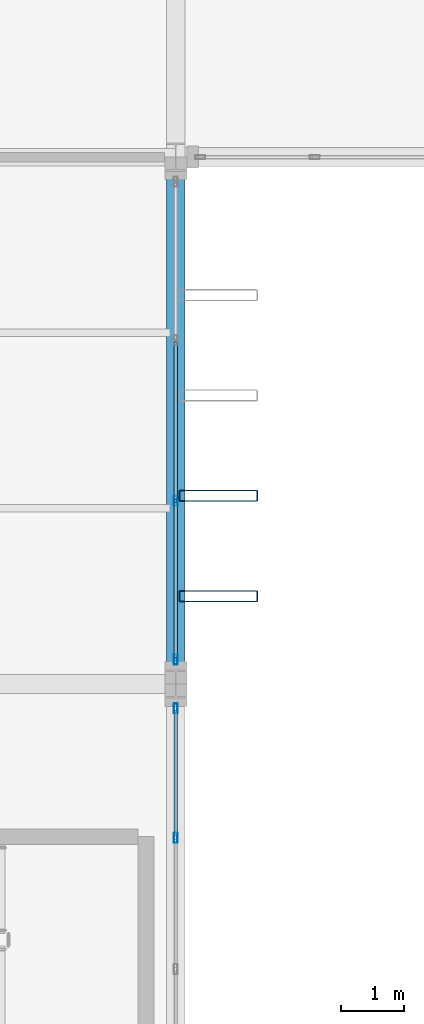
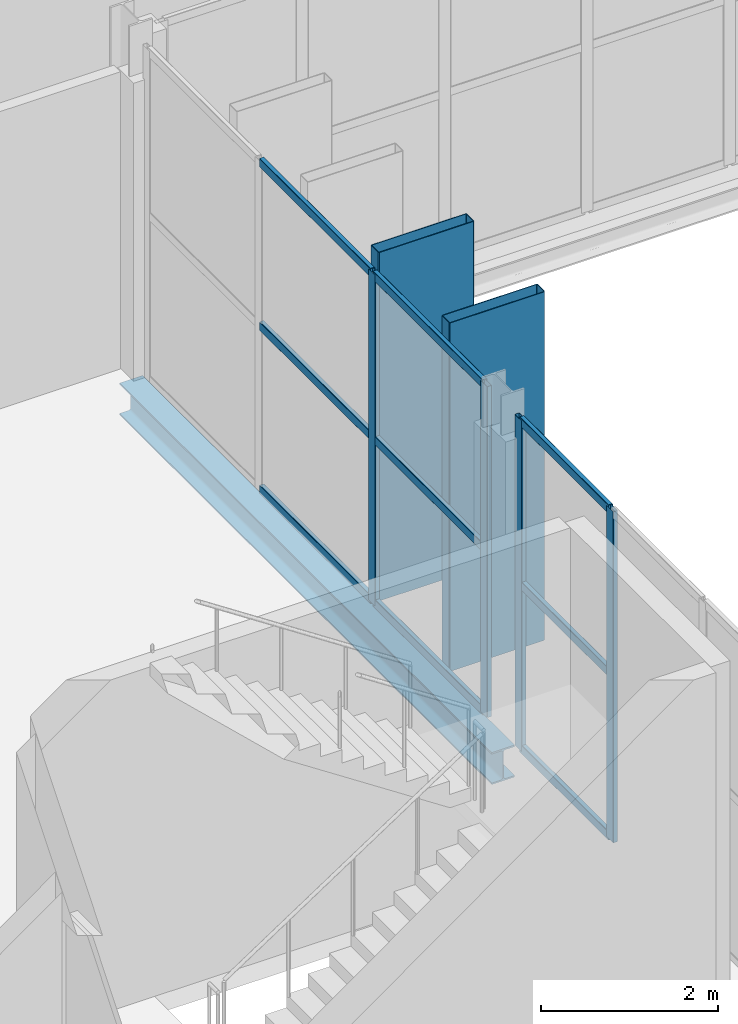
# One storey, part 34 of 120: 15 members, 1 beam, 2 elements without a shape of their own.
"""IFC4 building model written with IfcOpenShell, lengths in metres."""

from ifc_helpers import new_model, si_unit, direction, frame, origin, origin_2d, place, context, subcontext, project, spatial, hollow_rectangle, i_section, extrude, material, layer, layer_set, material_profile, profile_set, type_object, element, aggregate, save


model = new_model("IFC4")

# Units and contexts
model_context = context("Model", 3, precision=1e-05, world=origin(), true_north=direction((0.0, 1.0)))
body_context = subcontext(model_context, "Body", "Model", "MODEL_VIEW")
ifc_project = project(units=[si_unit("LENGTHUNIT", "METRE"), si_unit("AREAUNIT", "SQUARE_METRE"), si_unit("VOLUMEUNIT", "CUBIC_METRE"), si_unit("PLANEANGLEUNIT", "RADIAN"), si_unit("MASSUNIT", "GRAM", prefix="KILO")], contexts=[model_context])

# Site, building, storey
site_placement = place(None, origin())
site = spatial("IfcSite", under=ifc_project, at=site_placement, CompositionType="ELEMENT")
building_placement = place(site_placement, origin())
building = spatial("IfcBuilding", under=site, at=building_placement, Name="Vekula Escarpment Museum", CompositionType="ELEMENT")
storey_placement = place(building_placement, frame((0.0, 0.0, 13.199951171875)))
storey = spatial("IfcBuildingStorey", under=building, at=storey_placement, Name="L03", CompositionType="ELEMENT", Elevation=13.199951171875)

# Beam
ifc_material_1 = material(Name="Steel S355", Category="steel")
ifc_material_profile_1 = material_profile(ifc_material_1, i_section(OverallWidth=0.300048828125, OverallDepth=0.43994140625, WebThickness=0.011474609375, FlangeThickness=0.02099609375, FilletRadius=0.027099609375, at=origin_2d()), Name="HEA 450")
ifc_profile_set_1 = profile_set([ifc_material_profile_1], Name="Steel S355")
beam_type = type_object("IfcBeamType", Name="BM-SPAN-HEA450", PredefinedType="SPANDREL", material=ifc_profile_set_1)
beam_placement = place(storey_placement, frame((126.0, 59.60009765625, -0.469970703125), z_axis=(0.0, 1.0, 0.0), x_axis=(-1.0, 0.0, 0.0)))
element("IfcBeam", 1, at=beam_placement, inside=storey, type_object=beam_type, Name="Beam Y L03 1627", PredefinedType="SPANDREL", context=body_context, shape_type="SweptSolid", body=[
    extrude(i_section(OverallWidth=0.300048828125, OverallDepth=0.43994140625, WebThickness=0.011474609375, FlangeThickness=0.02099609375, FilletRadius=0.027099609375, at=origin_2d()), origin(), (0.0, 0.0, 1.0), 8.39990234375),
])

# Curtain wall, members
ifc_material_2 = material(Name="Aluminium thermally broken framing", Category="aluminium")
ifc_layer_1 = layer(ifc_material_2, 0.14990234375)
ifc_layer_set_1 = layer_set([ifc_layer_1], Name="Aluminium thermally broken framing")
curtain_wall_type_1 = type_object("IfcCurtainWallType", Name="CW-SYS-09", PredefinedType="NOTDEFINED", material=ifc_layer_set_1)
curtain_wall_1_placement = place(storey_placement, origin())
curtain_wall_1 = element("IfcCurtainWall", 2, at=curtain_wall_1_placement, inside=storey, type_object=curtain_wall_type_1, Name="Curtain Wall CW-L03-109", PredefinedType="NOTDEFINED")
ifc_material_3 = material(Name="Aluminium anodized mullion", Category="aluminium")
ifc_material_profile_2 = material_profile(ifc_material_3, hollow_rectangle(XDim=0.06005859375, YDim=0.159912109375, WallThickness=0.00390625, InnerFilletRadius=0.00390625, OuterFilletRadius=0.008056640625, at=origin_2d()), Name="ALU 160x60x4")
ifc_profile_set_2 = profile_set([ifc_material_profile_2], Name="Aluminium anodized mullion")
member_type_1 = type_object("IfcMemberType", Name="CW-MUL-160", PredefinedType="MULLION", material=ifc_profile_set_2)
member_1_placement = place(storey_placement, frame((126.0, 57.146728515625, 0.0), z_axis=(0.0, 0.0, 1.0), x_axis=(-1.0, 0.0, 0.0)))
member_1 = element("IfcMember", 3, at=member_1_placement, type_object=member_type_1, Name="CW-09 mullion 3", PredefinedType="MULLION", context=body_context, shape_type="SweptSolid", body=[
    extrude(hollow_rectangle(XDim=0.06005859375, YDim=0.159912109375, WallThickness=0.00390625, InnerFilletRadius=0.00390625, OuterFilletRadius=0.008056640625, at=origin_2d()), origin(), (0.0, 0.0, 1.0), 4.56005859375),
])
member_2_placement = place(storey_placement, frame((126.0, 59.2099609375, 0.0), z_axis=(0.0, 0.0, 1.0), x_axis=(-1.0, 0.0, 0.0)))
member_2 = element("IfcMember", 4, at=member_2_placement, type_object=member_type_1, Name="CW-09 mullion 4", PredefinedType="MULLION", context=body_context, shape_type="SweptSolid", body=[
    extrude(hollow_rectangle(XDim=0.06005859375, YDim=0.159912109375, WallThickness=0.00390625, InnerFilletRadius=0.00390625, OuterFilletRadius=0.008056640625, at=origin_2d()), origin(), (0.0, 0.0, 1.0), 4.56005859375),
])

ifc_material_4 = material(Name="Aluminium thermally broken framing", Category="aluminium")
ifc_layer_2 = layer(ifc_material_4, 0.169921875)
ifc_layer_set_2 = layer_set([ifc_layer_2], Name="Aluminium thermally broken framing")
curtain_wall_type_2 = type_object("IfcCurtainWallType", Name="CW-SYS-10", PredefinedType="NOTDEFINED", material=ifc_layer_set_2)
curtain_wall_2_placement = place(storey_placement, origin())
curtain_wall_2 = element("IfcCurtainWall", 5, at=curtain_wall_2_placement, inside=storey, type_object=curtain_wall_type_2, Name="Curtain Wall CW-L03-110", PredefinedType="NOTDEFINED")
member_3_placement = place(storey_placement, frame((126.0, 59.989990234375, 0.0), z_axis=(0.0, 0.0, 1.0), x_axis=(-1.0, 0.0, 0.0)))
member_3 = element("IfcMember", 6, at=member_3_placement, type_object=member_type_1, Name="CW-10 mullion 1", PredefinedType="MULLION", context=body_context, shape_type="SweptSolid", body=[
    extrude(hollow_rectangle(XDim=0.06005859375, YDim=0.159912109375, WallThickness=0.00390625, InnerFilletRadius=0.00390625, OuterFilletRadius=0.008056640625, at=origin_2d()), origin(), (0.0, 0.0, 1.0), 4.56005859375),
])
member_4_placement = place(storey_placement, frame((126.0, 62.52001953125, 0.0), z_axis=(0.0, 0.0, 1.0), x_axis=(-1.0, 0.0, 0.0)))
member_4 = element("IfcMember", 7, at=member_4_placement, type_object=member_type_1, Name="CW-10 mullion 2", PredefinedType="MULLION", context=body_context, shape_type="SweptSolid", body=[
    extrude(hollow_rectangle(XDim=0.06005859375, YDim=0.159912109375, WallThickness=0.00390625, InnerFilletRadius=0.00390625, OuterFilletRadius=0.008056640625, at=origin_2d()), origin(), (0.0, 0.0, 1.0), 4.56005859375),
])

# Member
ifc_material_5 = material(Name="Aluminium anodized transom", Category="aluminium")
ifc_material_profile_3 = material_profile(ifc_material_5, hollow_rectangle(XDim=0.06005859375, YDim=0.1201171875, WallThickness=0.00390625, InnerFilletRadius=0.00390625, OuterFilletRadius=0.008056640625, at=origin_2d()), Name="ALU 120x60x4")
ifc_profile_set_3 = profile_set([ifc_material_profile_3], Name="Aluminium anodized transom")
member_type_2 = type_object("IfcMemberType", Name="CW-TRN-120", PredefinedType="USERDEFINED", material=ifc_profile_set_3)
member_5_placement = place(storey_placement, frame((126.0, 57.1767578125, 0.030029296875), z_axis=(0.0, 1.0, 0.0), x_axis=(-1.0, 0.0, 0.0)))
member_5 = element("IfcMember", 8, at=member_5_placement, type_object=member_type_2, Name="CW-09 transom 3.1", ObjectType="TRANSOM", PredefinedType="USERDEFINED", context=body_context, shape_type="SweptSolid", body=[
    extrude(hollow_rectangle(XDim=0.06005859375, YDim=0.1201171875, WallThickness=0.00390625, InnerFilletRadius=0.00390625, OuterFilletRadius=0.008056640625, at=origin_2d()), origin(), (0.0, 0.0, 1.0), 2.003173828125),
])

member_6_placement = place(storey_placement, frame((126.0, 57.1767578125, 2.280029296875), z_axis=(0.0, 1.0, 0.0), x_axis=(-1.0, 0.0, 0.0)))
member_6 = element("IfcMember", 9, at=member_6_placement, type_object=member_type_2, Name="CW-09 transom 3.2", ObjectType="TRANSOM", PredefinedType="USERDEFINED", context=body_context, shape_type="SweptSolid", body=[
    extrude(hollow_rectangle(XDim=0.06005859375, YDim=0.1201171875, WallThickness=0.00390625, InnerFilletRadius=0.00390625, OuterFilletRadius=0.008056640625, at=origin_2d()), origin(), (0.0, 0.0, 1.0), 2.003173828125),
])

member_7_placement = place(storey_placement, frame((126.0, 57.1767578125, 4.530029296875), z_axis=(0.0, 1.0, 0.0), x_axis=(-1.0, 0.0, 0.0)))
member_7 = element("IfcMember", 10, at=member_7_placement, type_object=member_type_2, Name="CW-09 transom 3.3", ObjectType="TRANSOM", PredefinedType="USERDEFINED", context=body_context, shape_type="SweptSolid", body=[
    extrude(hollow_rectangle(XDim=0.06005859375, YDim=0.1201171875, WallThickness=0.00390625, InnerFilletRadius=0.00390625, OuterFilletRadius=0.008056640625, at=origin_2d()), origin(), (0.0, 0.0, 1.0), 2.003173828125),
])

aggregate(curtain_wall_1, [member_1, member_2, member_5, member_6, member_7])

member_8_placement = place(storey_placement, frame((126.0, 60.02001953125, 0.030029296875), z_axis=(0.0, 1.0, 0.0), x_axis=(-1.0, 0.0, 0.0)))
member_8 = element("IfcMember", 11, at=member_8_placement, type_object=member_type_2, Name="CW-10 transom 1.1", ObjectType="TRANSOM", PredefinedType="USERDEFINED", context=body_context, shape_type="SweptSolid", body=[
    extrude(hollow_rectangle(XDim=0.06005859375, YDim=0.1201171875, WallThickness=0.00390625, InnerFilletRadius=0.00390625, OuterFilletRadius=0.008056640625, at=origin_2d()), origin(), (0.0, 0.0, 1.0), 2.469970703125),
])

member_9_placement = place(storey_placement, frame((126.0, 60.02001953125, 2.280029296875), z_axis=(0.0, 1.0, 0.0), x_axis=(-1.0, 0.0, 0.0)))
member_9 = element("IfcMember", 12, at=member_9_placement, type_object=member_type_2, Name="CW-10 transom 1.2", ObjectType="TRANSOM", PredefinedType="USERDEFINED", context=body_context, shape_type="SweptSolid", body=[
    extrude(hollow_rectangle(XDim=0.06005859375, YDim=0.1201171875, WallThickness=0.00390625, InnerFilletRadius=0.00390625, OuterFilletRadius=0.008056640625, at=origin_2d()), origin(), (0.0, 0.0, 1.0), 2.469970703125),
])

member_10_placement = place(storey_placement, frame((126.0, 60.02001953125, 4.530029296875), z_axis=(0.0, 1.0, 0.0), x_axis=(-1.0, 0.0, 0.0)))
member_10 = element("IfcMember", 13, at=member_10_placement, type_object=member_type_2, Name="CW-10 transom 1.3", ObjectType="TRANSOM", PredefinedType="USERDEFINED", context=body_context, shape_type="SweptSolid", body=[
    extrude(hollow_rectangle(XDim=0.06005859375, YDim=0.1201171875, WallThickness=0.00390625, InnerFilletRadius=0.00390625, OuterFilletRadius=0.008056640625, at=origin_2d()), origin(), (0.0, 0.0, 1.0), 2.469970703125),
])

member_11_placement = place(storey_placement, frame((126.0, 62.550048828125, 0.030029296875), z_axis=(0.0, 1.0, 0.0), x_axis=(-1.0, 0.0, 0.0)))
member_11 = element("IfcMember", 14, at=member_11_placement, type_object=member_type_2, Name="CW-10 transom 2.1", ObjectType="TRANSOM", PredefinedType="USERDEFINED", context=body_context, shape_type="SweptSolid", body=[
    extrude(hollow_rectangle(XDim=0.06005859375, YDim=0.1201171875, WallThickness=0.00390625, InnerFilletRadius=0.00390625, OuterFilletRadius=0.008056640625, at=origin_2d()), origin(), (0.0, 0.0, 1.0), 2.5),
])

member_12_placement = place(storey_placement, frame((126.0, 62.550048828125, 2.280029296875), z_axis=(0.0, 1.0, 0.0), x_axis=(-1.0, 0.0, 0.0)))
member_12 = element("IfcMember", 15, at=member_12_placement, type_object=member_type_2, Name="CW-10 transom 2.2", ObjectType="TRANSOM", PredefinedType="USERDEFINED", context=body_context, shape_type="SweptSolid", body=[
    extrude(hollow_rectangle(XDim=0.06005859375, YDim=0.1201171875, WallThickness=0.00390625, InnerFilletRadius=0.00390625, OuterFilletRadius=0.008056640625, at=origin_2d()), origin(), (0.0, 0.0, 1.0), 2.5),
])

member_13_placement = place(storey_placement, frame((126.0, 62.550048828125, 4.530029296875), z_axis=(0.0, 1.0, 0.0), x_axis=(-1.0, 0.0, 0.0)))
member_13 = element("IfcMember", 16, at=member_13_placement, type_object=member_type_2, Name="CW-10 transom 2.3", ObjectType="TRANSOM", PredefinedType="USERDEFINED", context=body_context, shape_type="SweptSolid", body=[
    extrude(hollow_rectangle(XDim=0.06005859375, YDim=0.1201171875, WallThickness=0.00390625, InnerFilletRadius=0.00390625, OuterFilletRadius=0.008056640625, at=origin_2d()), origin(), (0.0, 0.0, 1.0), 2.5),
])

aggregate(curtain_wall_2, [member_3, member_4, member_8, member_9, member_10, member_11, member_12, member_13])

# Members
ifc_material_6 = material(Name="Steel S355 weathered bronze solar fin", Category="steel")
ifc_material_profile_4 = material_profile(ifc_material_6, hollow_rectangle(XDim=0.179931640625, YDim=1.25, WallThickness=0.010009765625, InnerFilletRadius=0.010009765625, OuterFilletRadius=0.02001953125, at=origin_2d()), Name="RHS 1250x180x10")
ifc_profile_set_4 = profile_set([ifc_material_profile_4], Name="Steel S355 weathered bronze solar fin")
member_type_3 = type_object("IfcMemberType", Name="MB-SOLAR-FIN", PredefinedType="USERDEFINED", material=ifc_profile_set_4)
for number, where, z_axis, x_axis, name in (
    (17, (126.679931640625, 61.0, 0.0), (0.0, 0.0, 1.0), (0.0, 1.0, 0.0), "Great Hall Vertical Solar Fin 0368"),
    (18, (126.679931640625, 62.60009765625, 0.0), (0.0, 0.0, 1.0), (0.0, 1.0, 0.0), "Great Hall Vertical Solar Fin 0373"),
):
    element("IfcMember", number, at=place(storey_placement, frame(where, z_axis=z_axis, x_axis=x_axis)), inside=storey, type_object=member_type_3, Name=name, ObjectType="SOLAR FIN", PredefinedType="USERDEFINED", context=body_context, shape_type="SweptSolid", body=[
        extrude(hollow_rectangle(XDim=0.179931640625, YDim=1.25, WallThickness=0.010009765625, InnerFilletRadius=0.010009765625, OuterFilletRadius=0.02001953125, at=origin_2d()), origin(), (0.0, 0.0, 1.0), 4.800048828125),
    ])

save(model, "model.ifc")
